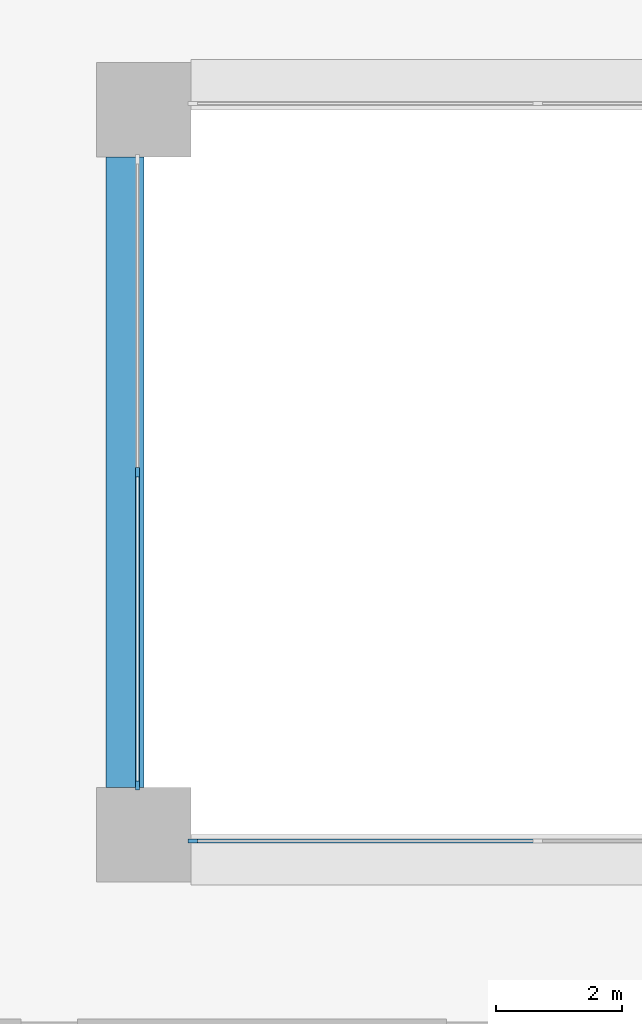
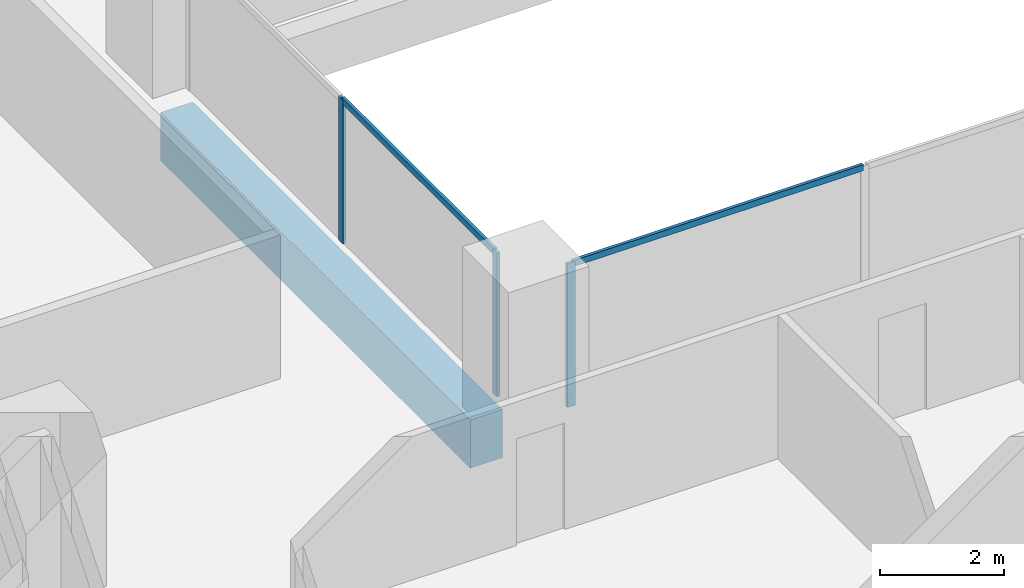
# One storey, part 2 of 21: 5 members, 1 beam, 2 elements without a shape of their own.
"""IFC4 building model written with IfcOpenShell, lengths in metres."""

from ifc_helpers import new_model, si_unit, direction, frame, origin, origin_2d, place, context, subcontext, project, spatial, rectangle, extrude, material, layer, layer_set, material_profile, profile_set, type_object, element, aggregate, save


model = new_model("IFC4")

# Units and contexts
model_context = context("Model", 3, precision=1e-05, world=origin(), true_north=direction((0.0, 1.0)))
body_context = subcontext(model_context, "Body", "Model", "MODEL_VIEW")
ifc_project = project(units=[si_unit("LENGTHUNIT", "METRE"), si_unit("AREAUNIT", "SQUARE_METRE"), si_unit("VOLUMEUNIT", "CUBIC_METRE"), si_unit("PLANEANGLEUNIT", "RADIAN"), si_unit("MASSUNIT", "GRAM", prefix="KILO")], contexts=[model_context])

# Site, building, storey
site_placement = place(None, origin())
site = spatial("IfcSite", under=ifc_project, at=site_placement, CompositionType="ELEMENT")
building_placement = place(site_placement, origin())
building = spatial("IfcBuilding", under=site, at=building_placement, Name="Brigalow Station Residences", CompositionType="ELEMENT")
storey_placement = place(building_placement, frame((0.0, 0.0, 51.0)))
storey = spatial("IfcBuildingStorey", under=building, at=storey_placement, Name="L14", CompositionType="ELEMENT", Elevation=51.0)

# Beam
ifc_material_1 = material(Name="Concrete C65", Category="concrete")
ifc_material_profile_1 = material_profile(ifc_material_1, rectangle(XDim=0.60009765625, YDim=0.949951171875, at=origin_2d()), Name="RC600x950")
ifc_profile_set_1 = profile_set([ifc_material_profile_1], Name="Concrete C65")
beam_type = type_object("IfcBeamType", Name="ATRIUM EDGE GIRDER 600x950 C65", PredefinedType="BEAM", material=ifc_profile_set_1)
beam_placement = place(storey_placement, frame((26.699951171875, 24.75, -0.794921875), z_axis=(0.0, 1.0, 0.0), x_axis=(-1.0, 0.0, 0.0)))
element("IfcBeam", 1, at=beam_placement, inside=storey, type_object=beam_type, Name="ATRIUM EDGE GIRDER 3 L14", PredefinedType="BEAM", context=body_context, shape_type="SweptSolid", body=[
    extrude(rectangle(XDim=0.60009765625, YDim=0.949951171875, at=origin_2d()), origin(), (0.0, 0.0, 1.0), 10.0),
])

# Curtain wall, member
ifc_material_2 = material(Name="Aluminium", Category="aluminium")
ifc_layer = layer(ifc_material_2, 0.14990234375)
ifc_layer_set = layer_set([ifc_layer], Name="ATRIUM FIRE-RATED GLAZING CURTAIN WALL")
curtain_wall_type = type_object("IfcCurtainWallType", Name="ATRIUM FIRE-RATED GLAZING CURTAIN WALL", PredefinedType="NOTDEFINED", material=ifc_layer_set)
curtain_wall_1_placement = place(storey_placement, origin())
curtain_wall_1 = element("IfcCurtainWall", 2, at=curtain_wall_1_placement, inside=storey, type_object=curtain_wall_type, Name="L14/cw/atrium-S", PredefinedType="NOTDEFINED")
ifc_material_3 = material(Name="Aluminium", Category="aluminium")
ifc_material_profile_2 = material_profile(ifc_material_3, rectangle(XDim=0.06005859375, YDim=0.14990234375, at=origin_2d()), Name="ATRIUM FIRE-RATED GLAZING MULLION 60x150")
ifc_profile_set_2 = profile_set([ifc_material_profile_2], Name="Aluminium")
member_type_1 = type_object("IfcMemberType", Name="ATRIUM FIRE-RATED GLAZING MULLION 60x150", PredefinedType="MULLION", material=ifc_profile_set_2)
member_1_placement = place(storey_placement, frame((27.780029296875, 23.89990234375, 0.0), z_axis=(0.0, 0.0, 1.0), x_axis=(0.0, 1.0, 0.0)))
member_1 = element("IfcMember", 3, at=member_1_placement, type_object=member_type_1, Name="L14/cw/atrium-S/M00", PredefinedType="MULLION", context=body_context, shape_type="SweptSolid", body=[
    extrude(rectangle(XDim=0.06005859375, YDim=0.14990234375, at=origin_2d()), origin(), (0.0, 0.0, 1.0), 2.830078125),
])

# Curtain wall, members
curtain_wall_2_placement = place(storey_placement, origin())
curtain_wall_2 = element("IfcCurtainWall", 4, at=curtain_wall_2_placement, inside=storey, type_object=curtain_wall_type, Name="L14/cw/atrium-W", PredefinedType="NOTDEFINED")
member_2_placement = place(storey_placement, frame((26.89990234375, 29.75, 0.0), z_axis=(0.0, 0.0, 1.0), x_axis=(1.0, 0.0, 0.0)))
member_2 = element("IfcMember", 5, at=member_2_placement, type_object=member_type_1, Name="L14/cw/atrium-W/M01", PredefinedType="MULLION", context=body_context, shape_type="SweptSolid", body=[
    extrude(rectangle(XDim=0.06005859375, YDim=0.14990234375, at=origin_2d()), origin(), (0.0, 0.0, 1.0), 2.830078125),
])
member_3_placement = place(storey_placement, frame((26.89990234375, 24.780029296875, 0.0), z_axis=(0.0, 0.0, 1.0), x_axis=(1.0, 0.0, 0.0)))
member_3 = element("IfcMember", 6, at=member_3_placement, type_object=member_type_1, Name="L14/cw/atrium-W/M02", PredefinedType="MULLION", context=body_context, shape_type="SweptSolid", body=[
    extrude(rectangle(XDim=0.06005859375, YDim=0.14990234375, at=origin_2d()), origin(), (0.0, 0.0, 1.0), 2.830078125),
])

# Member
ifc_material_4 = material(Name="Aluminium", Category="aluminium")
ifc_material_profile_3 = material_profile(ifc_material_4, rectangle(XDim=0.06005859375, YDim=0.1201171875, at=origin_2d()), Name="ATRIUM FIRE-RATED GLAZING TRANSOM 60x120")
ifc_profile_set_3 = profile_set([ifc_material_profile_3], Name="Aluminium")
member_type_2 = type_object("IfcMemberType", Name="ATRIUM FIRE-RATED GLAZING TRANSOM 60x120", PredefinedType="USERDEFINED", material=ifc_profile_set_3)
member_4_placement = place(storey_placement, frame((27.81005859375, 23.89990234375, 2.800048828125), z_axis=(1.0, 0.0, 0.0), x_axis=(0.0, 1.0, 0.0)))
member_4 = element("IfcMember", 7, at=member_4_placement, type_object=member_type_2, Name="L14/cw/atrium-S/T00-00", ObjectType="TRANSOM", PredefinedType="USERDEFINED", context=body_context, shape_type="SweptSolid", body=[
    extrude(rectangle(XDim=0.06005859375, YDim=0.1201171875, at=origin_2d()), origin(), (0.0, 0.0, 1.0), 5.409912109375),
])

aggregate(curtain_wall_1, [member_1, member_4])

member_5_placement = place(storey_placement, frame((26.89990234375, 29.719970703125, 2.800048828125), z_axis=(0.0, -1.0, 0.0), x_axis=(1.0, 0.0, 0.0)))
member_5 = element("IfcMember", 8, at=member_5_placement, type_object=member_type_2, Name="L14/cw/atrium-W/T01-00", ObjectType="TRANSOM", PredefinedType="USERDEFINED", context=body_context, shape_type="SweptSolid", body=[
    extrude(rectangle(XDim=0.06005859375, YDim=0.1201171875, at=origin_2d()), origin(), (0.0, 0.0, 1.0), 4.909912109375),
])

aggregate(curtain_wall_2, [member_2, member_3, member_5])

save(model, "model.ifc")
